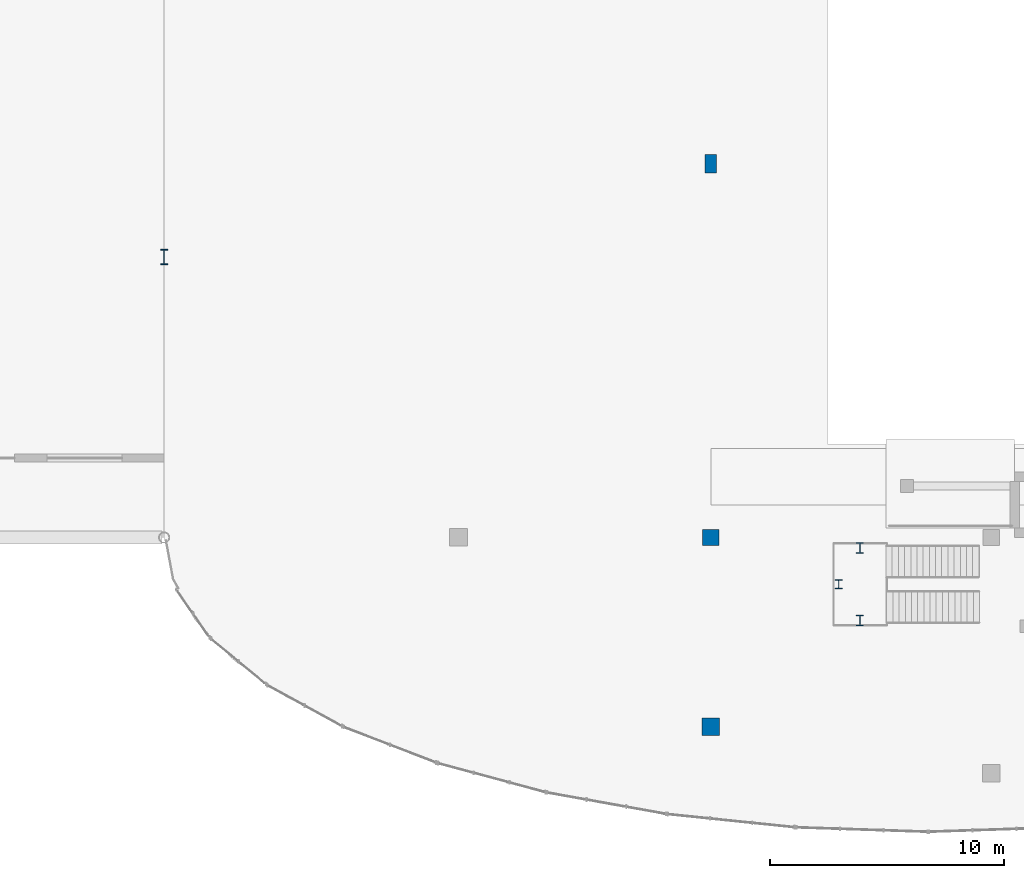
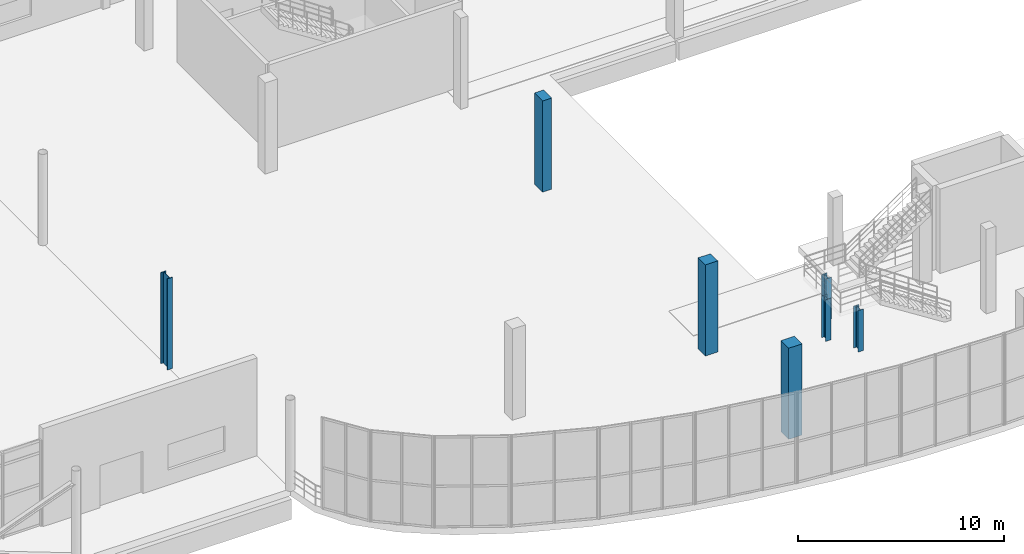
# One storey, part 6 of 85: 7 columns.
"""IFC4 building model written with IfcOpenShell, lengths in metres."""

import ifcopenshell
import ifcopenshell.guid

model = None  # the IFC model being written
_history = None  # IfcOwnerHistory: only IFC2X3 demands one
_inside = {}  # id of a spatial element -> (the spatial element, [elements in it])
_under = {}  # id of a project, library or spatial element -> (it, [spatial elements below it])
_declared = {}  # id of a project -> (the project, [libraries it declares])
_typed = {}  # id of a type object -> (the type object, [elements of that type])
_made_of = {}  # id of a material, layer set ... -> (it, [elements and type objects made of it])


def new_model(schema):
    """Start an empty IFC model of exactly this schema.

    Asked for "IFC4X3", IfcOpenShell would pick the latest addendum, in which some entities
    have other attributes; the version numbers below select the first issue.
    IFC2X3 requires an IfcOwnerHistory on every rooted entity: one is made here for all.
    """
    global model, _history
    if schema == "IFC4X3":
        model = ifcopenshell.file(schema_version=(4, 3, 0, 0))
    else:
        model = ifcopenshell.file(schema=schema)
    _inside.clear()
    _under.clear()
    _declared.clear()
    _typed.clear()
    _made_of.clear()
    _history = None
    if model.schema == "IFC2X3":
        org = make("IfcOrganization", Name="unknown")
        user = make(
            "IfcPersonAndOrganization",
            ThePerson=make("IfcPerson", FamilyName="unknown"),
            TheOrganization=org,
        )
        app = make(
            "IfcApplication",
            ApplicationDeveloper=org,
            Version="unknown",
            ApplicationFullName="unknown",
            ApplicationIdentifier="unknown",
        )
        _history = make(
            "IfcOwnerHistory",
            OwningUser=user,
            OwningApplication=app,
            ChangeAction="ADDED",
            CreationDate=0,
        )
    return model


def make(cls, **values):
    """One entity of the class cls with the attributes given. An attribute that is None is left unset."""
    return model.create_entity(
        cls, **{name: value for name, value in values.items() if value is not None}
    )


def rooted(cls, **values):
    """An entity with a GlobalId (a new one), such as an element, a storey or a relation."""
    return make(cls, GlobalId=ifcopenshell.guid.new(), OwnerHistory=_history, **values)


def si_unit(unit_type, name, prefix=None):
    """IfcSIUnit, for example si_unit("LENGTHUNIT", "METRE", prefix="MILLI")."""
    return make("IfcSIUnit", UnitType=unit_type, Prefix=prefix, Name=name)


def assignment(units):
    """IfcUnitAssignment: the units of a project."""
    return None if units is None else make("IfcUnitAssignment", Units=units)


def point(xyz):
    """IfcCartesianPoint."""
    return None if xyz is None else make("IfcCartesianPoint", Coordinates=xyz)


def direction(xyz):
    """IfcDirection."""
    return None if xyz is None else make("IfcDirection", DirectionRatios=xyz)


def frame(location, z_axis=None, x_axis=None):
    """IfcAxis2Placement3D, a coordinate frame: its origin and axes. An axis left out is left unset."""
    return make(
        "IfcAxis2Placement3D",
        Location=point(location),
        Axis=direction(z_axis),
        RefDirection=direction(x_axis),
    )


def frame_2d(location, x_axis=None):
    """IfcAxis2Placement2D, a coordinate frame in the plane: its origin and x axis."""
    return make(
        "IfcAxis2Placement2D", Location=point(location), RefDirection=direction(x_axis)
    )


def origin():
    """The frame at (0, 0, 0) with its axes left unset."""
    return frame((0.0, 0.0, 0.0))


def origin_2d():
    """The frame at (0, 0) in the plane with its x axis left unset."""
    return frame_2d((0.0, 0.0))


def place(relative_to, where):
    """IfcLocalPlacement: puts the frame where relative to a parent placement (None: the world)."""
    return make(
        "IfcLocalPlacement", PlacementRelTo=relative_to, RelativePlacement=where
    )


def context(
    kind, dimensions, precision=None, world=None, true_north=None, identifier=None
):
    """IfcGeometricRepresentationContext, for example the 3D "Model" context."""
    return make(
        "IfcGeometricRepresentationContext",
        ContextIdentifier=identifier,
        ContextType=kind,
        CoordinateSpaceDimension=dimensions,
        Precision=precision,
        WorldCoordinateSystem=world,
        TrueNorth=true_north,
    )


def subcontext(parent, identifier, kind, view, scale=None):
    """IfcGeometricRepresentationSubContext, for example "Body" below "Model"."""
    return make(
        "IfcGeometricRepresentationSubContext",
        ContextIdentifier=identifier,
        ContextType=kind,
        ParentContext=parent,
        TargetScale=scale,
        TargetView=view,
    )


def project(units=None, contexts=None):
    """IfcProject with its units and contexts."""
    return rooted(
        "IfcProject",
        Name="project",
        RepresentationContexts=contexts,
        UnitsInContext=assignment(units),
    )


def spatial(cls, under=None, at=None, **own):
    """A site, building, storey or space (cls), placed at a placement, below another one or the project."""
    s = rooted(cls, ObjectPlacement=at, **own)
    if under is not None:
        _under.setdefault(under.id(), (under, []))[1].append(s)
    return s


def profile(cls, at=None, kind="AREA", **sizes):
    """A parametric profile (cls). Its sizes go by their IFC names, for example OverallWidth=200.0."""
    return make(cls, ProfileType=kind, Position=at, **sizes)


def rectangle(**sizes):
    """IfcRectangleProfileDef."""
    return profile("IfcRectangleProfileDef", **sizes)


def i_section(**sizes):
    """IfcIShapeProfileDef."""
    return profile("IfcIShapeProfileDef", **sizes)


def extrude(swept, where, along, depth):
    """IfcExtrudedAreaSolid: the profile swept, set in the frame where, extruded along a direction by depth."""
    return make(
        "IfcExtrudedAreaSolid",
        SweptArea=swept,
        Position=where,
        ExtrudedDirection=direction(along),
        Depth=depth,
    )


def shape(context_of_items, identifier, shape_type, items):
    """IfcShapeRepresentation: the items that make up one representation, for example the "Body"."""
    return make(
        "IfcShapeRepresentation",
        ContextOfItems=context_of_items,
        RepresentationIdentifier=identifier,
        RepresentationType=shape_type,
        Items=items,
    )


def material(Name=None, Category=None):
    """IfcMaterial."""
    return make("IfcMaterial", Name=Name, Category=Category)


def material_profile(
    of_material, cross_section, Name=None, Category=None, Priority=None
):
    """IfcMaterialProfile: a cross section and its material."""
    return make(
        "IfcMaterialProfile",
        Name=Name,
        Material=of_material,
        Profile=cross_section,
        Priority=Priority,
        Category=Category,
    )


def profile_set(profiles, Name=None, composite=None):
    """IfcMaterialProfileSet."""
    return make(
        "IfcMaterialProfileSet",
        Name=Name,
        MaterialProfiles=profiles,
        CompositeProfile=composite,
    )


def made_of(thing, what):
    """Note that an element or type object is made of a material, layer set ...; save() writes the relation."""
    if what is not None:
        _made_of.setdefault(what.id(), (what, []))[1].append(thing)
    return thing


def type_object(cls, material=None, **own):
    """A type object (cls), such as IfcWallType, which elements share."""
    return made_of(rooted(cls, **own), material)


def element(
    cls,
    number,
    at=None,
    inside=None,
    cuts=None,
    type_object=None,
    material=None,
    context=None,
    identifier="Body",
    shape_type=None,
    held_by="IfcProductDefinitionShape",
    body=None,
    shapes=None,
    **own,
):
    """One element of the class cls, such as IfcWall. Its Tag is "e" and its number.

    at: its placement. inside: the storey or other place that contains it. cuts: it is an
    opening in that element (IfcRelVoidsElement). A single representation is given by context,
    identifier, shape_type and body (its items); several are given by shapes. held_by: the class
    of the entity that holds the representations. save() writes the other relations.
    """
    e = rooted(cls, Tag="e%d" % number, ObjectPlacement=at, **own)
    if body is not None:
        shapes = [shape(context, identifier, shape_type, body)]
    if shapes is not None:
        e.Representation = make(held_by, Representations=shapes)
    if inside is not None:
        _inside.setdefault(inside.id(), (inside, []))[1].append(e)
    if cuts is not None:
        rooted(
            "IfcRelVoidsElement", RelatingBuildingElement=cuts, RelatedOpeningElement=e
        )
    if type_object is not None:
        _typed.setdefault(type_object.id(), (type_object, []))[1].append(e)
    return made_of(e, material)


def aggregate(whole, parts):
    """IfcRelAggregates: a whole, such as a stair, and the parts it consists of."""
    return rooted("IfcRelAggregates", RelatingObject=whole, RelatedObjects=parts)


def save(model, path):
    """Write the relations noted so far, then the file.

    IfcRelAggregates (storeys below a building ...), IfcRelContainedInSpatialStructure (elements
    in a storey), IfcRelDefinesByType, IfcRelAssociatesMaterial and IfcRelDeclares: one each for
    every whole, place, type object, material and project.
    """
    for whole, parts in _under.values():
        aggregate(whole, parts)
    for where, things in _inside.values():
        rooted(
            "IfcRelContainedInSpatialStructure",
            RelatedElements=things,
            RelatingStructure=where,
        )
    for kind, things in _typed.values():
        rooted("IfcRelDefinesByType", RelatedObjects=things, RelatingType=kind)
    for what, things in _made_of.values():
        rooted("IfcRelAssociatesMaterial", RelatedObjects=things, RelatingMaterial=what)
    for by, libraries in _declared.values():
        rooted("IfcRelDeclares", RelatingContext=by, RelatedDefinitions=libraries)
    model.write(path)


model = new_model("IFC4")

# Units and contexts
model_context = context("Model", 3, precision=1e-05, world=origin(), true_north=direction((0.0, 1.0)))
body_context = subcontext(model_context, "Body", "Model", "MODEL_VIEW")
ifc_project = project(units=[si_unit("LENGTHUNIT", "METRE"), si_unit("AREAUNIT", "SQUARE_METRE"), si_unit("VOLUMEUNIT", "CUBIC_METRE"), si_unit("PLANEANGLEUNIT", "RADIAN"), si_unit("MASSUNIT", "GRAM", prefix="KILO"), si_unit("THERMODYNAMICTEMPERATUREUNIT", "KELVIN"), si_unit("POWERUNIT", "WATT")], contexts=[model_context])

# Site, building, storey
site_placement = place(None, origin())
site = spatial("IfcSite", under=ifc_project, at=site_placement, CompositionType="ELEMENT")
building_placement = place(site_placement, origin())
building = spatial("IfcBuilding", under=site, at=building_placement, Name="Solmara Park Aquatics Centre", CompositionType="ELEMENT")
storey_placement = place(building_placement, origin())
storey = spatial("IfcBuildingStorey", under=building, at=storey_placement, Name="L00", CompositionType="ELEMENT", Elevation=0.0)

# Columns
ifc_material_1 = material(Name="Structural Steel S355", Category="steel")
ifc_material_profile_1 = material_profile(ifc_material_1, i_section(OverallWidth=0.300048828125, OverallDepth=0.39990234375, WebThickness=0.013427734375, FlangeThickness=0.02392578125, FilletRadius=0.027099609375, at=origin_2d()), Name="HEB 400")
ifc_profile_set_1 = profile_set([ifc_material_profile_1], Name="Structural Steel S355")
column_type_1 = type_object("IfcColumnType", Name="STR-COL-HEB400", PredefinedType="COLUMN", material=ifc_profile_set_1)
column_1_placement = place(storey_placement, frame((125.469970703125, 10.60009765625, 0.0), z_axis=(0.0, 0.0, 1.0), x_axis=(1.0, 0.0, 0.0)))
element("IfcColumn", 1, at=column_1_placement, inside=storey, type_object=column_type_1, Name="Diving Tower Platform Stair DT-01 Half-Landing Support Column M", PredefinedType="COLUMN", context=body_context, shape_type="SweptSolid", body=[
    extrude(i_section(OverallWidth=0.300048828125, OverallDepth=0.39990234375, WebThickness=0.013427734375, FlangeThickness=0.02392578125, FilletRadius=0.027099609375, at=origin_2d()), origin(), (0.0, 0.0, 1.0), 2.4599609375),
])
ifc_material_profile_2 = material_profile(ifc_material_1, i_section(OverallWidth=0.300048828125, OverallDepth=0.449951171875, WebThickness=0.013916015625, FlangeThickness=0.02587890625, FilletRadius=0.027099609375, at=origin_2d()), Name="HEB 450")
ifc_profile_set_2 = profile_set([ifc_material_profile_2], Name="Structural Steel S355")
column_type_2 = type_object("IfcColumnType", Name="STR-COL-HEB450", PredefinedType="COLUMN", material=ifc_profile_set_2)
for number, where, z_axis, x_axis, name in (
    (2, (126.3798828125, 9.050048828125, 0.0), (0.0, 0.0, 1.0), (1.0, 0.0, 0.0), "Diving Tower Platform Stair DT-01 Half-Landing Support Column S"),
    (3, (126.3798828125, 12.14990234375, 0.0), (0.0, 0.0, 1.0), (1.0, 0.0, 0.0), "Diving Tower Platform Stair DT-01 Half-Landing Support Column N"),
):
    element("IfcColumn", number, at=place(storey_placement, frame(where, z_axis=z_axis, x_axis=x_axis)), inside=storey, type_object=column_type_2, Name=name, PredefinedType="COLUMN", context=body_context, shape_type="SweptSolid", body=[
        extrude(i_section(OverallWidth=0.300048828125, OverallDepth=0.449951171875, WebThickness=0.013916015625, FlangeThickness=0.02587890625, FilletRadius=0.027099609375, at=origin_2d()), origin(), (0.0, 0.0, 1.0), 2.4599609375),
    ])
ifc_material_profile_3 = material_profile(ifc_material_1, i_section(OverallWidth=0.300048828125, OverallDepth=0.64990234375, WebThickness=0.01611328125, FlangeThickness=0.031005859375, FilletRadius=0.027099609375, at=origin_2d()), Name="HEB 650")
ifc_profile_set_3 = profile_set([ifc_material_profile_3], Name="Structural Steel S355")
column_type_3 = type_object("IfcColumnType", Name="STR-COL-HEB650", PredefinedType="COLUMN", material=ifc_profile_set_3)
column_2_placement = place(storey_placement, frame((96.60009765625, 24.60009765625, 0.0), z_axis=(0.0, 0.0, 1.0), x_axis=(1.0, 0.0, 0.0)))
element("IfcColumn", 4, at=column_2_placement, inside=storey, type_object=column_type_3, Name="Column L00-0230", PredefinedType="COLUMN", context=body_context, shape_type="SweptSolid", body=[
    extrude(i_section(OverallWidth=0.300048828125, OverallDepth=0.64990234375, WebThickness=0.01611328125, FlangeThickness=0.031005859375, FilletRadius=0.027099609375, at=origin_2d()), origin(), (0.0, 0.0, 1.0), 5.39990234375),
])
ifc_material_2 = material(Name="Concrete C40/50", Category="concrete")
ifc_material_profile_4 = material_profile(ifc_material_2, rectangle(XDim=0.5, YDim=0.800048828125, at=origin_2d()), Name="RC 500x800")
ifc_profile_set_4 = profile_set([ifc_material_profile_4], Name="Concrete C40/50")
column_type_4 = type_object("IfcColumnType", Name="STR-COL-RC500x800", PredefinedType="COLUMN", material=ifc_profile_set_4)
column_3_placement = place(storey_placement, frame((120.0, 28.60009765625, 0.0), z_axis=(0.0, 0.0, 1.0), x_axis=(1.0, 0.0, 0.0)))
element("IfcColumn", 5, at=column_3_placement, inside=storey, type_object=column_type_4, Name="Column L00-0253", PredefinedType="COLUMN", context=body_context, shape_type="SweptSolid", body=[
    extrude(rectangle(XDim=0.5, YDim=0.800048828125, at=origin_2d()), origin(), (0.0, 0.0, 1.0), 5.39990234375),
])
ifc_material_profile_5 = material_profile(ifc_material_2, rectangle(XDim=0.699951171875, YDim=0.699951171875, at=origin_2d()), Name="RC 700x700")
ifc_profile_set_5 = profile_set([ifc_material_profile_5], Name="Concrete C40/50")
column_type_5 = type_object("IfcColumnType", Name="STR-COL-RC700", PredefinedType="COLUMN", material=ifc_profile_set_5)
column_4_placement = place(storey_placement, frame((120.0, 12.60009765625, 0.0), z_axis=(0.0, 0.0, 1.0), x_axis=(1.0, 0.0, 0.0)))
element("IfcColumn", 6, at=column_4_placement, inside=storey, type_object=column_type_5, Name="Column L00-0252", PredefinedType="COLUMN", context=body_context, shape_type="SweptSolid", body=[
    extrude(rectangle(XDim=0.699951171875, YDim=0.699951171875, at=origin_2d()), origin(), (0.0, 0.0, 1.0), 5.39990234375),
])
ifc_material_profile_6 = material_profile(ifc_material_2, rectangle(XDim=0.75, YDim=0.75, at=origin_2d()), Name="RC 750x750")
ifc_profile_set_6 = profile_set([ifc_material_profile_6], Name="Concrete C40/50")
column_type_6 = type_object("IfcColumnType", Name="STR-COL-RC750", PredefinedType="COLUMN", material=ifc_profile_set_6)
column_5_placement = place(storey_placement, frame((120.0, 4.5, 0.0), z_axis=(0.0, 0.0, 1.0), x_axis=(1.0, 0.0, 0.0)))
element("IfcColumn", 7, at=column_5_placement, inside=storey, type_object=column_type_6, Name="Column L00-0251", PredefinedType="COLUMN", context=body_context, shape_type="SweptSolid", body=[
    extrude(rectangle(XDim=0.75, YDim=0.75, at=origin_2d()), origin(), (0.0, 0.0, 1.0), 5.39990234375),
])

save(model, "model.ifc")
